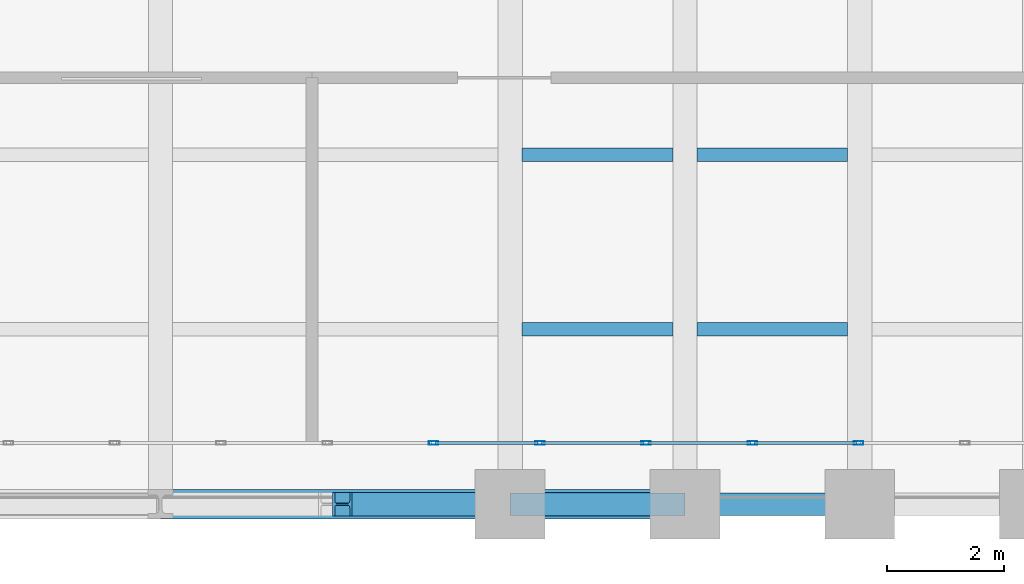
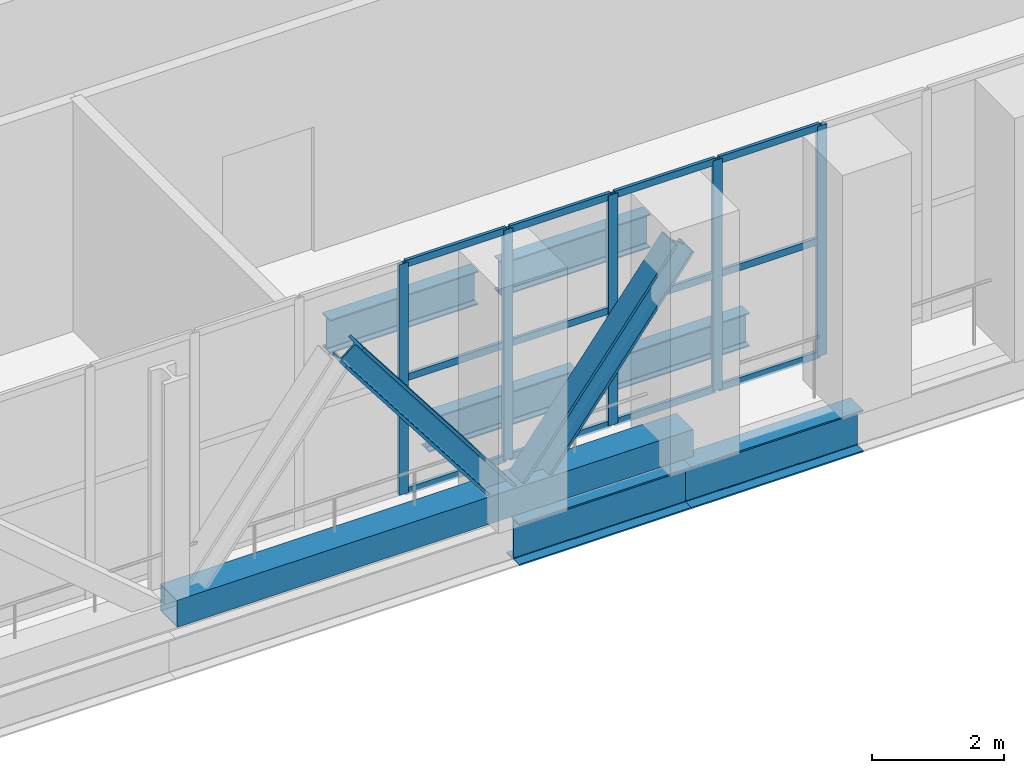
# One storey, part 13 of 27: 20 members, 6 beams, 1 element without a shape of its own.
"""IFC4 building model written with IfcOpenShell, lengths in metres."""

import ifcopenshell
import ifcopenshell.guid

model = None  # the IFC model being written
_history = None  # IfcOwnerHistory: only IFC2X3 demands one
_inside = {}  # id of a spatial element -> (the spatial element, [elements in it])
_under = {}  # id of a project, library or spatial element -> (it, [spatial elements below it])
_declared = {}  # id of a project -> (the project, [libraries it declares])
_typed = {}  # id of a type object -> (the type object, [elements of that type])
_made_of = {}  # id of a material, layer set ... -> (it, [elements and type objects made of it])


def new_model(schema):
    """Start an empty IFC model of exactly this schema.

    Asked for "IFC4X3", IfcOpenShell would pick the latest addendum, in which some entities
    have other attributes; the version numbers below select the first issue.
    IFC2X3 requires an IfcOwnerHistory on every rooted entity: one is made here for all.
    """
    global model, _history
    if schema == "IFC4X3":
        model = ifcopenshell.file(schema_version=(4, 3, 0, 0))
    else:
        model = ifcopenshell.file(schema=schema)
    _inside.clear()
    _under.clear()
    _declared.clear()
    _typed.clear()
    _made_of.clear()
    _history = None
    if model.schema == "IFC2X3":
        org = make("IfcOrganization", Name="unknown")
        user = make(
            "IfcPersonAndOrganization",
            ThePerson=make("IfcPerson", FamilyName="unknown"),
            TheOrganization=org,
        )
        app = make(
            "IfcApplication",
            ApplicationDeveloper=org,
            Version="unknown",
            ApplicationFullName="unknown",
            ApplicationIdentifier="unknown",
        )
        _history = make(
            "IfcOwnerHistory",
            OwningUser=user,
            OwningApplication=app,
            ChangeAction="ADDED",
            CreationDate=0,
        )
    return model


def make(cls, **values):
    """One entity of the class cls with the attributes given. An attribute that is None is left unset."""
    return model.create_entity(
        cls, **{name: value for name, value in values.items() if value is not None}
    )


def rooted(cls, **values):
    """An entity with a GlobalId (a new one), such as an element, a storey or a relation."""
    return make(cls, GlobalId=ifcopenshell.guid.new(), OwnerHistory=_history, **values)


def si_unit(unit_type, name, prefix=None):
    """IfcSIUnit, for example si_unit("LENGTHUNIT", "METRE", prefix="MILLI")."""
    return make("IfcSIUnit", UnitType=unit_type, Prefix=prefix, Name=name)


def assignment(units):
    """IfcUnitAssignment: the units of a project."""
    return None if units is None else make("IfcUnitAssignment", Units=units)


def point(xyz):
    """IfcCartesianPoint."""
    return None if xyz is None else make("IfcCartesianPoint", Coordinates=xyz)


def direction(xyz):
    """IfcDirection."""
    return None if xyz is None else make("IfcDirection", DirectionRatios=xyz)


def frame(location, z_axis=None, x_axis=None):
    """IfcAxis2Placement3D, a coordinate frame: its origin and axes. An axis left out is left unset."""
    return make(
        "IfcAxis2Placement3D",
        Location=point(location),
        Axis=direction(z_axis),
        RefDirection=direction(x_axis),
    )


def frame_2d(location, x_axis=None):
    """IfcAxis2Placement2D, a coordinate frame in the plane: its origin and x axis."""
    return make(
        "IfcAxis2Placement2D", Location=point(location), RefDirection=direction(x_axis)
    )


def origin():
    """The frame at (0, 0, 0) with its axes left unset."""
    return frame((0.0, 0.0, 0.0))


def origin_2d():
    """The frame at (0, 0) in the plane with its x axis left unset."""
    return frame_2d((0.0, 0.0))


def place(relative_to, where):
    """IfcLocalPlacement: puts the frame where relative to a parent placement (None: the world)."""
    return make(
        "IfcLocalPlacement", PlacementRelTo=relative_to, RelativePlacement=where
    )


def context(
    kind, dimensions, precision=None, world=None, true_north=None, identifier=None
):
    """IfcGeometricRepresentationContext, for example the 3D "Model" context."""
    return make(
        "IfcGeometricRepresentationContext",
        ContextIdentifier=identifier,
        ContextType=kind,
        CoordinateSpaceDimension=dimensions,
        Precision=precision,
        WorldCoordinateSystem=world,
        TrueNorth=true_north,
    )


def subcontext(parent, identifier, kind, view, scale=None):
    """IfcGeometricRepresentationSubContext, for example "Body" below "Model"."""
    return make(
        "IfcGeometricRepresentationSubContext",
        ContextIdentifier=identifier,
        ContextType=kind,
        ParentContext=parent,
        TargetScale=scale,
        TargetView=view,
    )


def project(units=None, contexts=None):
    """IfcProject with its units and contexts."""
    return rooted(
        "IfcProject",
        Name="project",
        RepresentationContexts=contexts,
        UnitsInContext=assignment(units),
    )


def spatial(cls, under=None, at=None, **own):
    """A site, building, storey or space (cls), placed at a placement, below another one or the project."""
    s = rooted(cls, ObjectPlacement=at, **own)
    if under is not None:
        _under.setdefault(under.id(), (under, []))[1].append(s)
    return s


def profile(cls, at=None, kind="AREA", **sizes):
    """A parametric profile (cls). Its sizes go by their IFC names, for example OverallWidth=200.0."""
    return make(cls, ProfileType=kind, Position=at, **sizes)


def hollow_rectangle(**sizes):
    """IfcRectangleHollowProfileDef."""
    return profile("IfcRectangleHollowProfileDef", **sizes)


def i_section(**sizes):
    """IfcIShapeProfileDef."""
    return profile("IfcIShapeProfileDef", **sizes)


def extrude(swept, where, along, depth):
    """IfcExtrudedAreaSolid: the profile swept, set in the frame where, extruded along a direction by depth."""
    return make(
        "IfcExtrudedAreaSolid",
        SweptArea=swept,
        Position=where,
        ExtrudedDirection=direction(along),
        Depth=depth,
    )


def shape(context_of_items, identifier, shape_type, items):
    """IfcShapeRepresentation: the items that make up one representation, for example the "Body"."""
    return make(
        "IfcShapeRepresentation",
        ContextOfItems=context_of_items,
        RepresentationIdentifier=identifier,
        RepresentationType=shape_type,
        Items=items,
    )


def material(Name=None, Category=None):
    """IfcMaterial."""
    return make("IfcMaterial", Name=Name, Category=Category)


def layer(
    of_material, thickness, ventilated=None, Name=None, Category=None, Priority=None
):
    """IfcMaterialLayer: one layer of a wall or slab, of a material (None: an air gap)."""
    return make(
        "IfcMaterialLayer",
        Material=of_material,
        LayerThickness=thickness,
        IsVentilated=ventilated,
        Name=Name,
        Category=Category,
        Priority=Priority,
    )


def layer_set(layers, Name=None):
    """IfcMaterialLayerSet."""
    return make("IfcMaterialLayerSet", MaterialLayers=layers, LayerSetName=Name)


def material_profile(
    of_material, cross_section, Name=None, Category=None, Priority=None
):
    """IfcMaterialProfile: a cross section and its material."""
    return make(
        "IfcMaterialProfile",
        Name=Name,
        Material=of_material,
        Profile=cross_section,
        Priority=Priority,
        Category=Category,
    )


def profile_set(profiles, Name=None, composite=None):
    """IfcMaterialProfileSet."""
    return make(
        "IfcMaterialProfileSet",
        Name=Name,
        MaterialProfiles=profiles,
        CompositeProfile=composite,
    )


def made_of(thing, what):
    """Note that an element or type object is made of a material, layer set ...; save() writes the relation."""
    if what is not None:
        _made_of.setdefault(what.id(), (what, []))[1].append(thing)
    return thing


def type_object(cls, material=None, **own):
    """A type object (cls), such as IfcWallType, which elements share."""
    return made_of(rooted(cls, **own), material)


def element(
    cls,
    number,
    at=None,
    inside=None,
    cuts=None,
    type_object=None,
    material=None,
    context=None,
    identifier="Body",
    shape_type=None,
    held_by="IfcProductDefinitionShape",
    body=None,
    shapes=None,
    **own,
):
    """One element of the class cls, such as IfcWall. Its Tag is "e" and its number.

    at: its placement. inside: the storey or other place that contains it. cuts: it is an
    opening in that element (IfcRelVoidsElement). A single representation is given by context,
    identifier, shape_type and body (its items); several are given by shapes. held_by: the class
    of the entity that holds the representations. save() writes the other relations.
    """
    e = rooted(cls, Tag="e%d" % number, ObjectPlacement=at, **own)
    if body is not None:
        shapes = [shape(context, identifier, shape_type, body)]
    if shapes is not None:
        e.Representation = make(held_by, Representations=shapes)
    if inside is not None:
        _inside.setdefault(inside.id(), (inside, []))[1].append(e)
    if cuts is not None:
        rooted(
            "IfcRelVoidsElement", RelatingBuildingElement=cuts, RelatedOpeningElement=e
        )
    if type_object is not None:
        _typed.setdefault(type_object.id(), (type_object, []))[1].append(e)
    return made_of(e, material)


def aggregate(whole, parts):
    """IfcRelAggregates: a whole, such as a stair, and the parts it consists of."""
    return rooted("IfcRelAggregates", RelatingObject=whole, RelatedObjects=parts)


def save(model, path):
    """Write the relations noted so far, then the file.

    IfcRelAggregates (storeys below a building ...), IfcRelContainedInSpatialStructure (elements
    in a storey), IfcRelDefinesByType, IfcRelAssociatesMaterial and IfcRelDeclares: one each for
    every whole, place, type object, material and project.
    """
    for whole, parts in _under.values():
        aggregate(whole, parts)
    for where, things in _inside.values():
        rooted(
            "IfcRelContainedInSpatialStructure",
            RelatedElements=things,
            RelatingStructure=where,
        )
    for kind, things in _typed.values():
        rooted("IfcRelDefinesByType", RelatedObjects=things, RelatingType=kind)
    for what, things in _made_of.values():
        rooted("IfcRelAssociatesMaterial", RelatedObjects=things, RelatingMaterial=what)
    for by, libraries in _declared.values():
        rooted("IfcRelDeclares", RelatingContext=by, RelatedDefinitions=libraries)
    model.write(path)


model = new_model("IFC4")

# Units and contexts
model_context = context("Model", 3, precision=1e-05, world=origin(), true_north=direction((0.0, 1.0)))
body_context = subcontext(model_context, "Body", "Model", "MODEL_VIEW")
ifc_project = project(units=[si_unit("LENGTHUNIT", "METRE"), si_unit("AREAUNIT", "SQUARE_METRE"), si_unit("VOLUMEUNIT", "CUBIC_METRE"), si_unit("PLANEANGLEUNIT", "RADIAN"), si_unit("MASSUNIT", "GRAM", prefix="KILO")], contexts=[model_context])

# Site, building, storey
site_placement = place(None, origin())
site = spatial("IfcSite", under=ifc_project, at=site_placement, CompositionType="ELEMENT")
building_placement = place(site_placement, origin())
building = spatial("IfcBuilding", under=site, at=building_placement, Name="Mawjdan Bourse Tower", CompositionType="ELEMENT")
storey_placement = place(building_placement, frame((0.0, 0.0, 84.60009765625)))
storey = spatial("IfcBuildingStorey", under=building, at=storey_placement, Name="L19", CompositionType="ELEMENT", Elevation=84.60009765625)

# Members
ifc_material_1 = material(Name="Structural Steel S460", Category="steel")
ifc_material_profile_1 = material_profile(ifc_material_1, i_section(OverallWidth=0.406005859375, OverallDepth=0.416015625, WebThickness=0.02978515625, FlangeThickness=0.048095703125, FilletRadius=0.038330078125, at=origin_2d()), Name="W14X257")
ifc_profile_set_1 = profile_set([ifc_material_profile_1], Name="Structural Steel S460")
member_type_1 = type_object("IfcMemberType", Name="BRC-W14X257", PredefinedType="BRACE", material=ifc_profile_set_1)
for number, where, z_axis, x_axis, name in (
    (1, (45.1201171875, 3.0, 3.7998046875), (0.608414594375, 0.0, -0.793619355454), (0.0, 1.0, 0.0), "L19 South Perimeter Belt Truss Diagonal 2"),
    (2, (48.1201171875, 3.0, 0.199951171875), (0.608414594375, 0.0, 0.793619355454), (0.0, 1.0, 0.0), "L19 South Perimeter Belt Truss Diagonal 3"),
):
    element("IfcMember", number, at=place(storey_placement, frame(where, z_axis=z_axis, x_axis=x_axis)), inside=storey, type_object=member_type_1, Name=name, PredefinedType="BRACE", context=body_context, shape_type="SweptSolid", body=[
        extrude(i_section(OverallWidth=0.406005859375, OverallDepth=0.416015625, WebThickness=0.02978515625, FlangeThickness=0.048095703125, FilletRadius=0.038330078125, at=origin_2d()), origin(), (0.0, 0.0, 1.0), 4.535888671875),
    ])
ifc_material_profile_2 = material_profile(ifc_material_1, hollow_rectangle(XDim=0.5, YDim=0.5, WallThickness=0.02001953125, at=origin_2d()), Name="HSS500X500X20")
ifc_profile_set_2 = profile_set([ifc_material_profile_2], Name="Structural Steel S460")
member_type_2 = type_object("IfcMemberType", Name="CHD-HSS500X500X20", PredefinedType="CHORD", material=ifc_profile_set_2)
member_1_placement = place(storey_placement, frame((42.0, 3.0, 0.199951171875), z_axis=(1.0, 0.0, 0.0), x_axis=(0.0, 1.0, 0.0)))
element("IfcMember", 3, at=member_1_placement, inside=storey, type_object=member_type_2, Name="L19 South Perimeter Belt Truss Bottom Chord", PredefinedType="CHORD", context=body_context, shape_type="SweptSolid", body=[
    extrude(hollow_rectangle(XDim=0.5, YDim=0.5, WallThickness=0.02001953125, at=origin_2d()), origin(), (0.0, 0.0, 1.0), 9.0),
])

# Beams
ifc_material_2 = material(Name="Structural Steel S355", Category="steel")
ifc_material_profile_3 = material_profile(ifc_material_2, i_section(OverallWidth=0.22998046875, OverallDepth=0.616943359375, WebThickness=0.01318359375, FlangeThickness=0.022216796875, FilletRadius=0.017822265625, at=origin_2d()), Name="W24X94")
ifc_profile_set_3 = profile_set([ifc_material_profile_3], Name="Structural Steel S355")
beam_type_1 = type_object("IfcBeamType", Name="JST-W24X94", PredefinedType="JOIST", material=ifc_profile_set_3)
for number, where, z_axis, x_axis, name in (
    (4, (48.20703125, 6.0, -0.588623046875), (1.0, 0.0, 0.0), (0.0, 1.0, 0.0), "L19 East Wing Composite Joist 026"),
    (5, (51.20703125, 6.0, -0.588623046875), (1.0, 0.0, 0.0), (0.0, 1.0, 0.0), "L19 East Wing Composite Joist 027"),
    (6, (48.20703125, 9.0, -0.588623046875), (1.0, 0.0, 0.0), (0.0, 1.0, 0.0), "L19 East Wing Composite Joist 033"),
    (7, (51.20703125, 9.0, -0.588623046875), (1.0, 0.0, 0.0), (0.0, 1.0, 0.0), "L19 East Wing Composite Joist 034"),
):
    element("IfcBeam", number, at=place(storey_placement, frame(where, z_axis=z_axis, x_axis=x_axis)), inside=storey, type_object=beam_type_1, Name=name, PredefinedType="JOIST", context=body_context, shape_type="SweptSolid", body=[
        extrude(i_section(OverallWidth=0.22998046875, OverallDepth=0.616943359375, WebThickness=0.01318359375, FlangeThickness=0.022216796875, FilletRadius=0.017822265625, at=origin_2d()), origin(), (0.0, 0.0, 1.0), 2.5859375),
    ])

# Curtain wall, members
ifc_material_3 = material(Name="Thermally Broken Aluminium and Solar Glass", Category="aluminium")
ifc_layer = layer(ifc_material_3, 0.219970703125)
ifc_layer_set = layer_set([ifc_layer], Name="Thermally Broken Aluminium and Solar Glass")
curtain_wall_type = type_object("IfcCurtainWallType", Name="CW-RFG", PredefinedType="USERDEFINED", material=ifc_layer_set)
curtain_wall_placement = place(storey_placement, origin())
curtain_wall = element("IfcCurtainWall", 8, at=curtain_wall_placement, inside=storey, type_object=curtain_wall_type, Name="L19 Refuge Band South Louvre Curtain Wall", ObjectType="REFUGE BAND LOUVRE SCREEN", PredefinedType="USERDEFINED")
ifc_material_4 = material(Name="Thermally Broken Anodised Aluminium", Category="aluminium")
ifc_material_profile_4 = material_profile(ifc_material_4, hollow_rectangle(XDim=0.06494140625, YDim=0.1650390625, WallThickness=0.00390625, at=origin_2d()), Name="ALU-MUL-165X65")
ifc_profile_set_4 = profile_set([ifc_material_profile_4], Name="Thermally Broken Anodised Aluminium")
member_type_3 = type_object("IfcMemberType", Name="MUL-ALU-MUL-165X65", PredefinedType="MULLION", material=ifc_profile_set_4)
member_2_placement = place(storey_placement, frame((46.685791015625, 4.050048828125, 0.0), z_axis=(0.0, 0.0, 1.0), x_axis=(0.0, 1.0, 0.0)))
member_2 = element("IfcMember", 9, at=member_2_placement, type_object=member_type_3, Name="CW-RFG-L19-RFG-S mullion 13", PredefinedType="MULLION", context=body_context, shape_type="SweptSolid", body=[
    extrude(hollow_rectangle(XDim=0.06494140625, YDim=0.1650390625, WallThickness=0.00390625, at=origin_2d()), origin(), (0.0, 0.0, 1.0), 4.25),
])
member_3_placement = place(storey_placement, frame((48.509521484375, 4.050048828125, 0.0), z_axis=(0.0, 0.0, 1.0), x_axis=(0.0, 1.0, 0.0)))
member_3 = element("IfcMember", 10, at=member_3_placement, type_object=member_type_3, Name="CW-RFG-L19-RFG-S mullion 14", PredefinedType="MULLION", context=body_context, shape_type="SweptSolid", body=[
    extrude(hollow_rectangle(XDim=0.06494140625, YDim=0.1650390625, WallThickness=0.00390625, at=origin_2d()), origin(), (0.0, 0.0, 1.0), 4.25),
])
member_4_placement = place(storey_placement, frame((50.333251953125, 4.050048828125, 0.0), z_axis=(0.0, 0.0, 1.0), x_axis=(0.0, 1.0, 0.0)))
member_4 = element("IfcMember", 11, at=member_4_placement, type_object=member_type_3, Name="CW-RFG-L19-RFG-S mullion 15", PredefinedType="MULLION", context=body_context, shape_type="SweptSolid", body=[
    extrude(hollow_rectangle(XDim=0.06494140625, YDim=0.1650390625, WallThickness=0.00390625, at=origin_2d()), origin(), (0.0, 0.0, 1.0), 4.25),
])
member_5_placement = place(storey_placement, frame((52.1572265625, 4.050048828125, 0.0), z_axis=(0.0, 0.0, 1.0), x_axis=(0.0, 1.0, 0.0)))
member_5 = element("IfcMember", 12, at=member_5_placement, type_object=member_type_3, Name="CW-RFG-L19-RFG-S mullion 16", PredefinedType="MULLION", context=body_context, shape_type="SweptSolid", body=[
    extrude(hollow_rectangle(XDim=0.06494140625, YDim=0.1650390625, WallThickness=0.00390625, at=origin_2d()), origin(), (0.0, 0.0, 1.0), 4.25),
])
member_6_placement = place(storey_placement, frame((53.98095703125, 4.050048828125, 0.0), z_axis=(0.0, 0.0, 1.0), x_axis=(0.0, 1.0, 0.0)))
member_6 = element("IfcMember", 13, at=member_6_placement, type_object=member_type_3, Name="CW-RFG-L19-RFG-S mullion 17", PredefinedType="MULLION", context=body_context, shape_type="SweptSolid", body=[
    extrude(hollow_rectangle(XDim=0.06494140625, YDim=0.1650390625, WallThickness=0.00390625, at=origin_2d()), origin(), (0.0, 0.0, 1.0), 4.25),
])

# Beams
ifc_material_profile_5 = material_profile(ifc_material_2, i_section(OverallWidth=0.381103515625, OverallDepth=0.77294921875, WebThickness=0.0166015625, FlangeThickness=0.027099609375, FilletRadius=0.021728515625, at=origin_2d()), Name="W30X173")
ifc_profile_set_5 = profile_set([ifc_material_profile_5], Name="Structural Steel S355")
beam_type_2 = type_object("IfcBeamType", Name="SPN-W30X173", PredefinedType="SPANDREL", material=ifc_profile_set_5)
for number, where, z_axis, x_axis, name in (
    (14, (48.0, 3.0, -0.66650390625), (1.0, 0.0, 0.0), (0.0, 1.0, 0.0), "L19 Perimeter Masonry-Shelf Spandrel 012"),
    (15, (51.0, 3.0, -0.66650390625), (1.0, 0.0, 0.0), (0.0, 1.0, 0.0), "L19 Perimeter Masonry-Shelf Spandrel 013"),
):
    element("IfcBeam", number, at=place(storey_placement, frame(where, z_axis=z_axis, x_axis=x_axis)), inside=storey, type_object=beam_type_2, Name=name, PredefinedType="SPANDREL", context=body_context, shape_type="SweptSolid", body=[
        extrude(i_section(OverallWidth=0.381103515625, OverallDepth=0.77294921875, WebThickness=0.0166015625, FlangeThickness=0.027099609375, FilletRadius=0.021728515625, at=origin_2d()), origin(), (0.0, 0.0, 1.0), 3.0),
    ])

# Member
ifc_material_profile_6 = material_profile(ifc_material_4, hollow_rectangle(XDim=0.054931640625, YDim=0.1298828125, WallThickness=0.00341796875, at=origin_2d()), Name="ALU-TRN-130X55")
ifc_profile_set_6 = profile_set([ifc_material_profile_6], Name="Thermally Broken Anodised Aluminium")
member_type_4 = type_object("IfcMemberType", Name="TRN-ALU-TRN-130X55", PredefinedType="USERDEFINED", material=ifc_profile_set_6)
member_7_placement = place(storey_placement, frame((46.71826171875, 4.050048828125, 0.02734375), z_axis=(1.0, 0.0, 0.0), x_axis=(0.0, 1.0, 0.0)))
member_7 = element("IfcMember", 16, at=member_7_placement, type_object=member_type_4, Name="CW-RFG-L19-RFG-S transom 13.1", ObjectType="TRANSOM", PredefinedType="USERDEFINED", context=body_context, shape_type="SweptSolid", body=[
    extrude(hollow_rectangle(XDim=0.054931640625, YDim=0.1298828125, WallThickness=0.00341796875, at=origin_2d()), origin(), (0.0, 0.0, 1.0), 1.7587890625),
])

member_8_placement = place(storey_placement, frame((46.71826171875, 4.050048828125, 2.125), z_axis=(1.0, 0.0, 0.0), x_axis=(0.0, 1.0, 0.0)))
member_8 = element("IfcMember", 17, at=member_8_placement, type_object=member_type_4, Name="CW-RFG-L19-RFG-S transom 13.2", ObjectType="TRANSOM", PredefinedType="USERDEFINED", context=body_context, shape_type="SweptSolid", body=[
    extrude(hollow_rectangle(XDim=0.054931640625, YDim=0.1298828125, WallThickness=0.00341796875, at=origin_2d()), origin(), (0.0, 0.0, 1.0), 1.7587890625),
])

member_9_placement = place(storey_placement, frame((46.71826171875, 4.050048828125, 4.222412109375), z_axis=(1.0, 0.0, 0.0), x_axis=(0.0, 1.0, 0.0)))
member_9 = element("IfcMember", 18, at=member_9_placement, type_object=member_type_4, Name="CW-RFG-L19-RFG-S transom 13.3", ObjectType="TRANSOM", PredefinedType="USERDEFINED", context=body_context, shape_type="SweptSolid", body=[
    extrude(hollow_rectangle(XDim=0.054931640625, YDim=0.1298828125, WallThickness=0.00341796875, at=origin_2d()), origin(), (0.0, 0.0, 1.0), 1.7587890625),
])

member_10_placement = place(storey_placement, frame((48.5419921875, 4.050048828125, 0.02734375), z_axis=(1.0, 0.0, 0.0), x_axis=(0.0, 1.0, 0.0)))
member_10 = element("IfcMember", 19, at=member_10_placement, type_object=member_type_4, Name="CW-RFG-L19-RFG-S transom 14.1", ObjectType="TRANSOM", PredefinedType="USERDEFINED", context=body_context, shape_type="SweptSolid", body=[
    extrude(hollow_rectangle(XDim=0.054931640625, YDim=0.1298828125, WallThickness=0.00341796875, at=origin_2d()), origin(), (0.0, 0.0, 1.0), 1.7587890625),
])

member_11_placement = place(storey_placement, frame((48.5419921875, 4.050048828125, 2.125), z_axis=(1.0, 0.0, 0.0), x_axis=(0.0, 1.0, 0.0)))
member_11 = element("IfcMember", 20, at=member_11_placement, type_object=member_type_4, Name="CW-RFG-L19-RFG-S transom 14.2", ObjectType="TRANSOM", PredefinedType="USERDEFINED", context=body_context, shape_type="SweptSolid", body=[
    extrude(hollow_rectangle(XDim=0.054931640625, YDim=0.1298828125, WallThickness=0.00341796875, at=origin_2d()), origin(), (0.0, 0.0, 1.0), 1.7587890625),
])

member_12_placement = place(storey_placement, frame((48.5419921875, 4.050048828125, 4.222412109375), z_axis=(1.0, 0.0, 0.0), x_axis=(0.0, 1.0, 0.0)))
member_12 = element("IfcMember", 21, at=member_12_placement, type_object=member_type_4, Name="CW-RFG-L19-RFG-S transom 14.3", ObjectType="TRANSOM", PredefinedType="USERDEFINED", context=body_context, shape_type="SweptSolid", body=[
    extrude(hollow_rectangle(XDim=0.054931640625, YDim=0.1298828125, WallThickness=0.00341796875, at=origin_2d()), origin(), (0.0, 0.0, 1.0), 1.7587890625),
])

member_13_placement = place(storey_placement, frame((50.36572265625, 4.050048828125, 0.02734375), z_axis=(1.0, 0.0, 0.0), x_axis=(0.0, 1.0, 0.0)))
member_13 = element("IfcMember", 22, at=member_13_placement, type_object=member_type_4, Name="CW-RFG-L19-RFG-S transom 15.1", ObjectType="TRANSOM", PredefinedType="USERDEFINED", context=body_context, shape_type="SweptSolid", body=[
    extrude(hollow_rectangle(XDim=0.054931640625, YDim=0.1298828125, WallThickness=0.00341796875, at=origin_2d()), origin(), (0.0, 0.0, 1.0), 1.759033203125),
])

member_14_placement = place(storey_placement, frame((50.36572265625, 4.050048828125, 2.125), z_axis=(1.0, 0.0, 0.0), x_axis=(0.0, 1.0, 0.0)))
member_14 = element("IfcMember", 23, at=member_14_placement, type_object=member_type_4, Name="CW-RFG-L19-RFG-S transom 15.2", ObjectType="TRANSOM", PredefinedType="USERDEFINED", context=body_context, shape_type="SweptSolid", body=[
    extrude(hollow_rectangle(XDim=0.054931640625, YDim=0.1298828125, WallThickness=0.00341796875, at=origin_2d()), origin(), (0.0, 0.0, 1.0), 1.759033203125),
])

member_15_placement = place(storey_placement, frame((50.36572265625, 4.050048828125, 4.222412109375), z_axis=(1.0, 0.0, 0.0), x_axis=(0.0, 1.0, 0.0)))
member_15 = element("IfcMember", 24, at=member_15_placement, type_object=member_type_4, Name="CW-RFG-L19-RFG-S transom 15.3", ObjectType="TRANSOM", PredefinedType="USERDEFINED", context=body_context, shape_type="SweptSolid", body=[
    extrude(hollow_rectangle(XDim=0.054931640625, YDim=0.1298828125, WallThickness=0.00341796875, at=origin_2d()), origin(), (0.0, 0.0, 1.0), 1.759033203125),
])

member_16_placement = place(storey_placement, frame((52.189697265625, 4.050048828125, 0.02734375), z_axis=(1.0, 0.0, 0.0), x_axis=(0.0, 1.0, 0.0)))
member_16 = element("IfcMember", 25, at=member_16_placement, type_object=member_type_4, Name="CW-RFG-L19-RFG-S transom 16.1", ObjectType="TRANSOM", PredefinedType="USERDEFINED", context=body_context, shape_type="SweptSolid", body=[
    extrude(hollow_rectangle(XDim=0.054931640625, YDim=0.1298828125, WallThickness=0.00341796875, at=origin_2d()), origin(), (0.0, 0.0, 1.0), 1.7587890625),
])

member_17_placement = place(storey_placement, frame((52.189697265625, 4.050048828125, 2.125), z_axis=(1.0, 0.0, 0.0), x_axis=(0.0, 1.0, 0.0)))
member_17 = element("IfcMember", 26, at=member_17_placement, type_object=member_type_4, Name="CW-RFG-L19-RFG-S transom 16.2", ObjectType="TRANSOM", PredefinedType="USERDEFINED", context=body_context, shape_type="SweptSolid", body=[
    extrude(hollow_rectangle(XDim=0.054931640625, YDim=0.1298828125, WallThickness=0.00341796875, at=origin_2d()), origin(), (0.0, 0.0, 1.0), 1.7587890625),
])

member_18_placement = place(storey_placement, frame((52.189697265625, 4.050048828125, 4.222412109375), z_axis=(1.0, 0.0, 0.0), x_axis=(0.0, 1.0, 0.0)))
member_18 = element("IfcMember", 27, at=member_18_placement, type_object=member_type_4, Name="CW-RFG-L19-RFG-S transom 16.3", ObjectType="TRANSOM", PredefinedType="USERDEFINED", context=body_context, shape_type="SweptSolid", body=[
    extrude(hollow_rectangle(XDim=0.054931640625, YDim=0.1298828125, WallThickness=0.00341796875, at=origin_2d()), origin(), (0.0, 0.0, 1.0), 1.7587890625),
])

aggregate(curtain_wall, [member_2, member_3, member_4, member_5, member_6, member_7, member_8, member_9, member_10, member_11, member_12, member_13, member_14, member_15, member_16, member_17, member_18])

save(model, "model.ifc")
